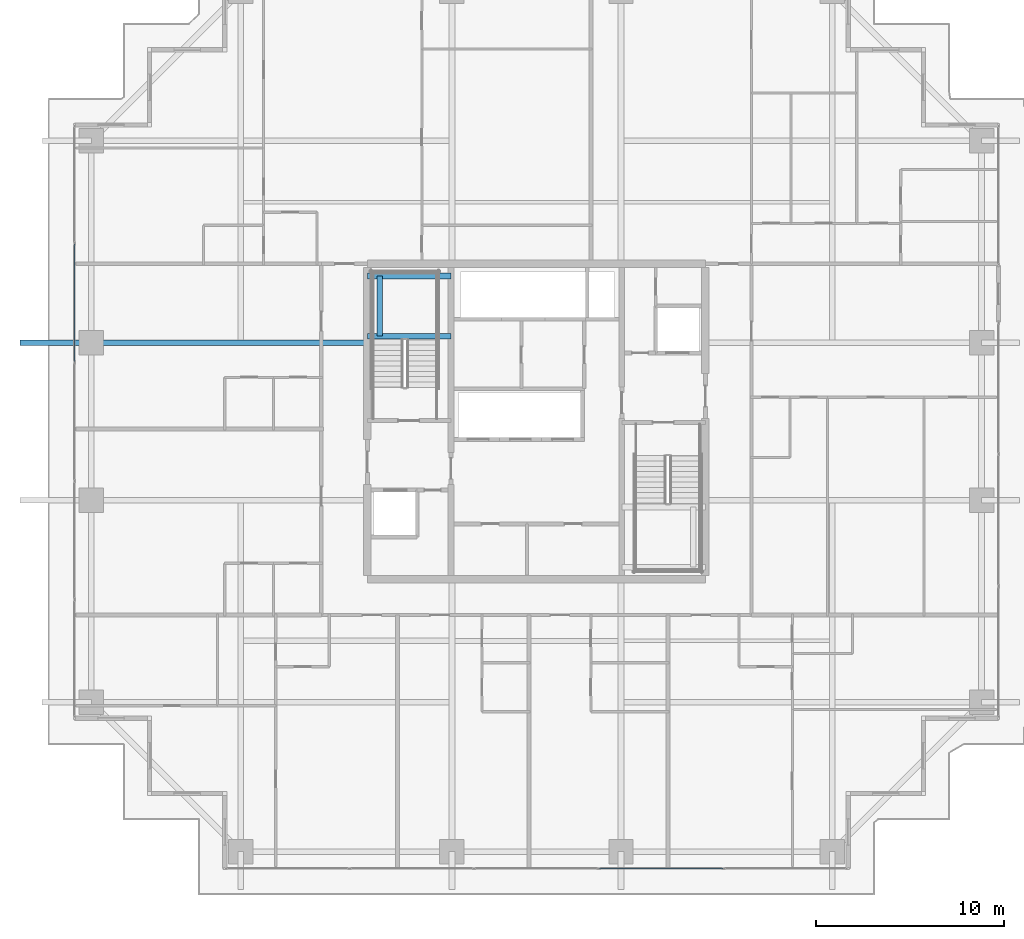
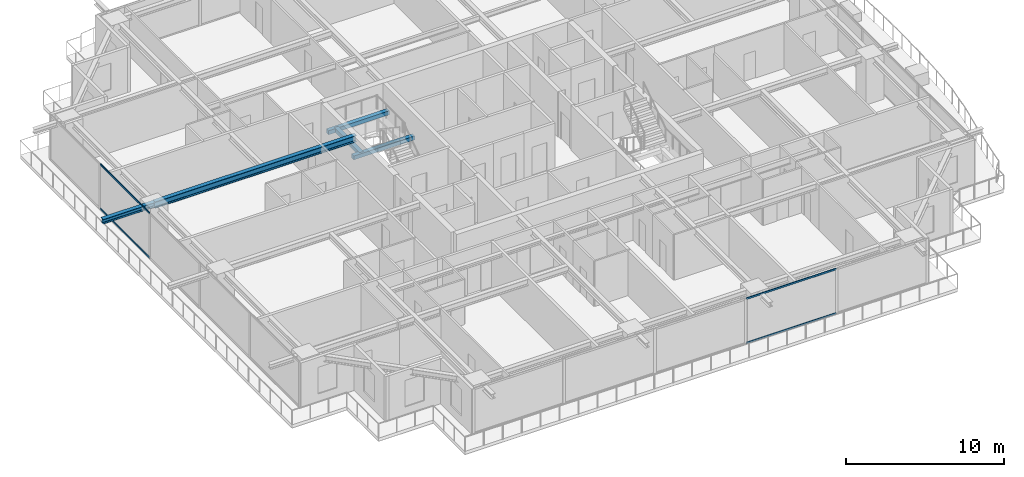
# One storey, part 8 of 33: 5 beams, 4 members, 2 elements without a shape of their own.
"""IFC4 building model written with IfcOpenShell, lengths in metres."""

from ifc_helpers import new_model, si_unit, direction, frame, origin, origin_2d, place, context, subcontext, project, spatial, rectangle, hollow_rectangle, i_section, extrude, source, transform, mapped, material, layer, layer_set, material_profile, profile_set, type_object, element, aggregate, save


model = new_model("IFC4")

# Units and contexts
model_context = context("Model", 3, precision=1e-05, world=origin(), true_north=direction((0.0, 1.0)))
body_context = subcontext(model_context, "Body", "Model", "MODEL_VIEW")
ifc_project = project(units=[si_unit("LENGTHUNIT", "METRE"), si_unit("AREAUNIT", "SQUARE_METRE"), si_unit("VOLUMEUNIT", "CUBIC_METRE"), si_unit("PLANEANGLEUNIT", "RADIAN"), si_unit("MASSUNIT", "GRAM", prefix="KILO")], contexts=[model_context])

# Site, building, storey
site_placement = place(None, origin())
site = spatial("IfcSite", under=ifc_project, at=site_placement, CompositionType="ELEMENT")
building_placement = place(site_placement, origin())
building = spatial("IfcBuilding", under=site, at=building_placement, Name="Serunith Strait Residences", CompositionType="ELEMENT")
storey_placement = place(building_placement, frame((0.0, 0.0, 150.14990234375)))
storey = spatial("IfcBuildingStorey", under=building, at=storey_placement, Name="L37", CompositionType="ELEMENT", Elevation=150.14990234375)

# Beams
ifc_material_1 = material(Name="Steel S355J2", Category="steel")
ifc_material_profile_1 = material_profile(ifc_material_1, i_section(OverallWidth=0.300048828125, OverallDepth=0.5, WebThickness=0.014404296875, FlangeThickness=0.028076171875, FilletRadius=0.027099609375, at=origin_2d()), Name="HEB 500")
ifc_profile_set_1 = profile_set([ifc_material_profile_1], Name="Steel S355J2")
beam_type_1 = type_object("IfcBeamType", Name="BM-HEB500", PredefinedType="BEAM", material=ifc_profile_set_1)
shared_shape_1 = source(origin(), body_context, "Body", "SweptSolid", [
    extrude(i_section(OverallWidth=0.300048828125, OverallDepth=0.5, WebThickness=0.014404296875, FlangeThickness=0.028076171875, FilletRadius=0.027099609375, at=origin_2d()), origin(), (0.0, 0.0, 1.0), 14.699951171875),
])
beam_1_placement = place(storey_placement, frame((23.39990234375, 29.39990234375, 3.237060546875), z_axis=(-1.0, 0.0, 0.0), x_axis=(0.0, -1.0, 0.0)))
element("IfcBeam", 1, at=beam_1_placement, inside=storey, type_object=beam_type_1, Name="L37 Primary Floor Girder TC-W3", PredefinedType="BEAM", context=body_context, shape_type="MappedRepresentation", body=[
    mapped(shared_shape_1, transform((0.0, 0.0, 0.0), scale=1.0)),
])
ifc_material_profile_2 = material_profile(ifc_material_1, i_section(OverallWidth=0.300048828125, OverallDepth=0.360107421875, WebThickness=0.012451171875, FlangeThickness=0.0224609375, FilletRadius=0.027099609375, at=origin_2d()), Name="HEB 360")
ifc_profile_set_2 = profile_set([ifc_material_profile_2], Name="Steel S355J2")
beam_type_2 = type_object("IfcBeamType", Name="BM-HEB360", PredefinedType="BEAM", material=ifc_profile_set_2)
shared_shape_2 = source(origin(), body_context, "Body", "SweptSolid", [
    extrude(i_section(OverallWidth=0.300048828125, OverallDepth=0.360107421875, WebThickness=0.012451171875, FlangeThickness=0.0224609375, FilletRadius=0.027099609375, at=origin_2d()), origin(), (0.0, 0.0, 1.0), 3.800048828125),
])
beam_2_placement = place(storey_placement, frame((8.699951171875, 29.39990234375, 3.277099609375), z_axis=(-1.0, 0.0, 0.0), x_axis=(0.0, -1.0, 0.0)))
element("IfcBeam", 2, at=beam_2_placement, inside=storey, type_object=beam_type_2, Name="L38 Cantilevered Balcony Rib TC-W3", PredefinedType="BEAM", context=body_context, shape_type="MappedRepresentation", body=[
    mapped(shared_shape_2, transform((0.0, 0.0, 0.0), scale=1.0)),
])
ifc_material_2 = material(Name="Concrete C60/75", Category="concrete")
ifc_material_profile_3 = material_profile(ifc_material_2, rectangle(XDim=0.300048828125, YDim=0.300048828125, at=origin_2d()), Name="RC 300x300")
ifc_profile_set_3 = profile_set([ifc_material_profile_3], Name="Concrete C60/75")
beam_type_3 = type_object("IfcBeamType", Name="BM-LAND-300x300", PredefinedType="BEAM", material=ifc_profile_set_3)
shared_shape_3 = source(origin(), body_context, "Body", "SweptSolid", [
    extrude(rectangle(XDim=0.300048828125, YDim=0.300048828125, at=origin_2d()), origin(), (0.0, 0.0, 1.0), 4.4501953125),
])
for number, where, z_axis, x_axis, name in (
    (3, (23.39990234375, 29.75, 1.525146484375), (1.0, 0.0, 0.0), (0.0, 1.0, 0.0), "L37 ST-1 Landing Support Beam 1"),
    (4, (23.39990234375, 32.949951171875, 1.525146484375), (1.0, 0.0, 0.0), (0.0, 1.0, 0.0), "L37 ST-1 Landing Support Beam 2"),
):
    element("IfcBeam", number, at=place(storey_placement, frame(where, z_axis=z_axis, x_axis=x_axis)), inside=storey, type_object=beam_type_3, Name=name, PredefinedType="BEAM", context=body_context, shape_type="MappedRepresentation", body=[
        mapped(shared_shape_3, transform((0.0, 0.0, 0.0), scale=1.0)),
    ])
shared_shape_4 = source(origin(), body_context, "Body", "SweptSolid", [
    extrude(rectangle(XDim=0.300048828125, YDim=0.300048828125, at=origin_2d()), origin(), (0.0, 0.0, 1.0), 3.199951171875),
])
beam_3_placement = place(storey_placement, frame((24.050048828125, 29.75, 1.525146484375), z_axis=(0.0, 1.0, 0.0), x_axis=(-1.0, 0.0, 0.0)))
element("IfcBeam", 5, at=beam_3_placement, inside=storey, type_object=beam_type_3, Name="L37 ST-1 Landing Transverse Tie Beam", PredefinedType="BEAM", context=body_context, shape_type="MappedRepresentation", body=[
    mapped(shared_shape_4, transform((0.0, 0.0, 0.0), scale=1.0)),
])

# Curtain wall, members
ifc_material_3 = material(Name="Pale-Champagne Anodised Aluminium", Category="aluminium")
ifc_layer = layer(ifc_material_3, 0.199951171875, Name="Pale-Champagne Anodised Aluminium")
ifc_layer_set = layer_set([ifc_layer], Name="Pale-Champagne Anodised Aluminium")
curtain_wall_type = type_object("IfcCurtainWallType", Name="CW-SYS2", PredefinedType="NOTDEFINED", material=ifc_layer_set)
curtain_wall_1_placement = place(storey_placement, origin())
curtain_wall_1 = element("IfcCurtainWall", 6, at=curtain_wall_1_placement, inside=storey, type_object=curtain_wall_type, Name="L37 S Unitised Fritted Curtain Wall", PredefinedType="NOTDEFINED")
ifc_material_profile_4 = material_profile(ifc_material_3, hollow_rectangle(XDim=0.06005859375, YDim=0.139892578125, WallThickness=0.00341796875, InnerFilletRadius=0.00537109375, OuterFilletRadius=0.0087890625, at=origin_2d()), Name="ALU 140x60x3.5")
ifc_profile_set_4 = profile_set([ifc_material_profile_4], Name="Pale-Champagne Anodised Aluminium")
member_type = type_object("IfcMemberType", Name="CW-SYS2-TRAN", PredefinedType="USERDEFINED", material=ifc_profile_set_4)
shared_shape_5 = source(origin(), body_context, "Body", "SweptSolid", [
    extrude(hollow_rectangle(XDim=0.06005859375, YDim=0.139892578125, WallThickness=0.00341796875, InnerFilletRadius=0.00537109375, OuterFilletRadius=0.0087890625, at=origin_2d()), origin(), (0.0, 0.0, 1.0), 6.570068359375),
])
member_1_placement = place(storey_placement, frame((35.7548828125, 1.39990234375, 0.030029296875), z_axis=(1.0, 0.0, 0.0), x_axis=(0.0, 1.0, 0.0)))
member_1 = element("IfcMember", 7, at=member_1_placement, type_object=member_type, Name="CW-2 transom 4.1", ObjectType="TRANSOM", PredefinedType="USERDEFINED", context=body_context, shape_type="MappedRepresentation", body=[
    mapped(shared_shape_5, transform((0.0, 0.0, 0.0), scale=1.0)),
])
member_2_placement = place(storey_placement, frame((35.7548828125, 1.39990234375, 3.445068359375), z_axis=(1.0, 0.0, 0.0), x_axis=(0.0, 1.0, 0.0)))
member_2 = element("IfcMember", 8, at=member_2_placement, type_object=member_type, Name="CW-2 transom 4.2", ObjectType="TRANSOM", PredefinedType="USERDEFINED", context=body_context, shape_type="MappedRepresentation", body=[
    mapped(shared_shape_5, transform((0.0, 0.0, 0.0), scale=1.0)),
])
aggregate(curtain_wall_1, [member_1, member_2])

curtain_wall_2_placement = place(storey_placement, origin())
curtain_wall_2 = element("IfcCurtainWall", 9, at=curtain_wall_2_placement, inside=storey, type_object=curtain_wall_type, Name="L37 W Unitised Fritted Curtain Wall", PredefinedType="NOTDEFINED")
shared_shape_6 = source(origin(), body_context, "Body", "SweptSolid", [
    extrude(hollow_rectangle(XDim=0.06005859375, YDim=0.139892578125, WallThickness=0.00341796875, InnerFilletRadius=0.00537109375, OuterFilletRadius=0.0087890625, at=origin_2d()), origin(), (0.0, 0.0, 1.0), 6.25),
])
member_3_placement = place(storey_placement, frame((7.800048828125, 34.64501953125, 0.030029296875), z_axis=(0.0, -1.0, 0.0), x_axis=(1.0, 0.0, 0.0)))
member_3 = element("IfcMember", 10, at=member_3_placement, type_object=member_type, Name="CW-2 transom 2.1", ObjectType="TRANSOM", PredefinedType="USERDEFINED", context=body_context, shape_type="MappedRepresentation", body=[
    mapped(shared_shape_6, transform((0.0, 0.0, 0.0), scale=1.0)),
])
member_4_placement = place(storey_placement, frame((7.800048828125, 34.64501953125, 3.445068359375), z_axis=(0.0, -1.0, 0.0), x_axis=(1.0, 0.0, 0.0)))
member_4 = element("IfcMember", 11, at=member_4_placement, type_object=member_type, Name="CW-2 transom 2.2", ObjectType="TRANSOM", PredefinedType="USERDEFINED", context=body_context, shape_type="MappedRepresentation", body=[
    mapped(shared_shape_6, transform((0.0, 0.0, 0.0), scale=1.0)),
])
aggregate(curtain_wall_2, [member_3, member_4])

save(model, "model.ifc")
